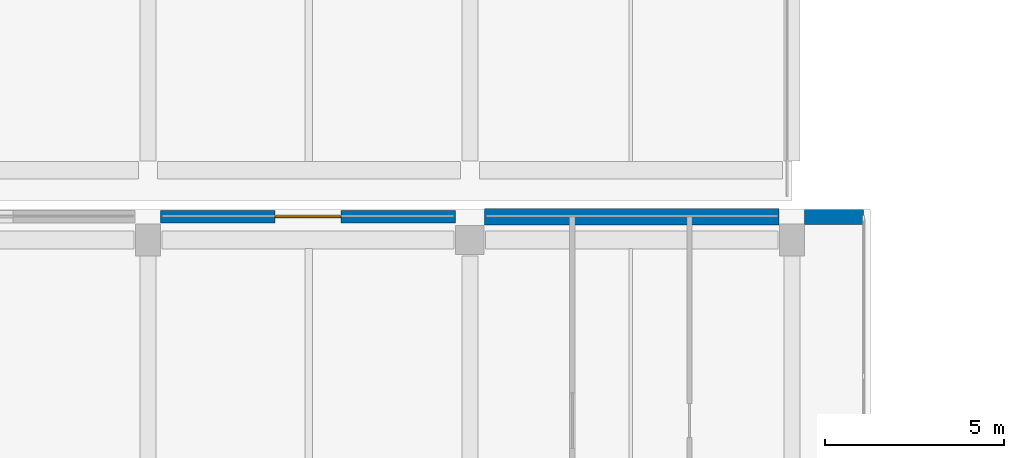
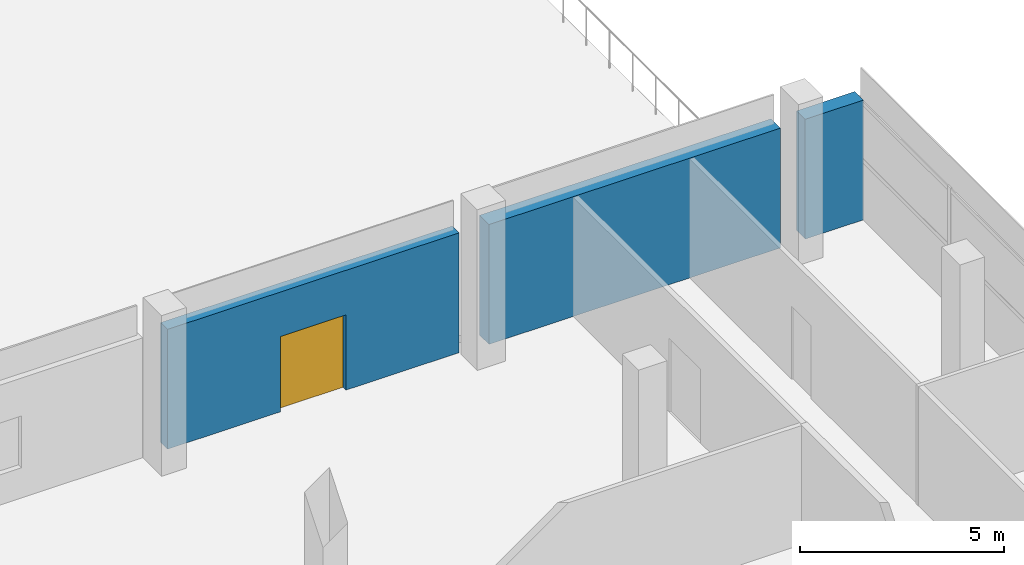
# One storey, part 58 of 82: 3 walls, 1 door, 1 opening.
"""IFC4 building model written with IfcOpenShell, lengths in metres."""

from ifc_helpers import new_model, si_unit, direction, frame, frame_2d, origin, place, context, subcontext, project, spatial, rectangle, extrude, material, layer, layer_set, type_object, element, fill, save


model = new_model("IFC4")

# Units and contexts
model_context = context("Model", 3, precision=1e-05, world=origin(), true_north=direction((0.0, 1.0)))
body_context = subcontext(model_context, "Body", "Model", "MODEL_VIEW")
ifc_project = project(units=[si_unit("LENGTHUNIT", "METRE"), si_unit("AREAUNIT", "SQUARE_METRE"), si_unit("VOLUMEUNIT", "CUBIC_METRE"), si_unit("PLANEANGLEUNIT", "RADIAN"), si_unit("MASSUNIT", "GRAM", prefix="KILO"), si_unit("THERMODYNAMICTEMPERATUREUNIT", "KELVIN"), si_unit("POWERUNIT", "WATT")], contexts=[model_context])

# Site, building, storey
site_placement = place(None, origin())
site = spatial("IfcSite", under=ifc_project, at=site_placement, CompositionType="ELEMENT")
building_placement = place(site_placement, origin())
building = spatial("IfcBuilding", under=site, at=building_placement, Name="Sindhuravela Promenade Stadium", CompositionType="ELEMENT")
storey_placement = place(building_placement, frame((0.0, 0.0, 14.39990234375)))
storey = spatial("IfcBuildingStorey", under=building, at=storey_placement, Name="L03", CompositionType="ELEMENT", Elevation=14.39990234375)

# Wall, opening, door
ifc_material_1 = material(Name="Terracotta clay brick masonry (15 MPa)", Category="masonry")
ifc_layer_1 = layer(ifc_material_1, 0.340087890625)
ifc_layer_set_1 = layer_set([ifc_layer_1], Name="Terracotta clay brick masonry (15 MPa)")
wall_type_1 = type_object("IfcWallType", Name="EX-WL-BRK340", PredefinedType="SOLIDWALL", material=ifc_layer_set_1)
wall_1_placement = place(storey_placement, frame((189.35498046875, 125.550048828125, 0.0), z_axis=(0.0, 0.0, 1.0), x_axis=(1.0, 0.0, 0.0)))
wall_1 = element("IfcWall", 1, at=wall_1_placement, inside=storey, type_object=wall_type_1, Name="Exterior masonry wall EW06 EAST L03", PredefinedType="SOLIDWALL", context=body_context, shape_type="SweptSolid", body=[
    extrude(rectangle(XDim=8.239990234375, YDim=0.340087890625, at=frame_2d((4.1201171875, 0.0))), origin(), (0.0, 0.0, 1.0), 3.580078125),
])
opening_placement = place(wall_1_placement, frame((3.195068359375, 0.0, 0.0)))
opening = element("IfcOpeningElement", 2, at=opening_placement, cuts=wall_1, Name="Opening TD02", PredefinedType="OPENING", context=body_context, shape_type="SweptSolid", body=[
    extrude(rectangle(XDim=1.85009765625, YDim=2.25, at=frame_2d((0.925048828125, 1.125))), frame((0.0, 0.179931640625, 0.0), z_axis=(0.0, -1.0, 0.0), x_axis=(1.0, 0.0, 0.0)), (0.0, 0.0, 1.0), 0.360107421875),
])
ifc_material_2 = material(Name="Anodised architectural aluminium 6063-T6", Category="aluminium")
door_type = type_object("IfcDoorType", Name="DR-TER-1850x2250", OperationType="DOUBLE_DOOR_SINGLE_SWING", PredefinedType="DOOR", material=ifc_material_2)
door_placement = place(opening_placement, origin())
door = element("IfcDoor", 3, at=door_placement, inside=storey, type_object=door_type, Name="Terrace access door NE Gate Pavilion Planted Roof Garden", OperationType="DOUBLE_DOOR_SINGLE_SWING", OverallHeight=2.25, OverallWidth=1.85009765625, PredefinedType="DOOR", context=body_context, shape_type="SweptSolid", body=[
    extrude(rectangle(XDim=1.85009765625, YDim=2.25, at=frame_2d((0.925048828125, 1.125))), frame((0.0, 0.02490234375, 0.0), z_axis=(0.0, -1.0, 0.0), x_axis=(1.0, 0.0, 0.0)), (0.0, 0.0, 1.0), 0.050048828125),
])
fill(opening, door)

# Walls
ifc_layer_2 = layer(ifc_material_1, 0.419921875)
ifc_layer_set_2 = layer_set([ifc_layer_2], Name="Terracotta clay brick masonry (15 MPa)")
wall_type_2 = type_object("IfcWallType", Name="EX-WL-BRK420", PredefinedType="SOLIDWALL", material=ifc_layer_set_2)
wall_2_placement = place(storey_placement, frame((207.35498046875, 125.550048828125, 0.0), z_axis=(0.0, 0.0, 1.0), x_axis=(1.0, 0.0, 0.0)))
element("IfcWall", 4, at=wall_2_placement, inside=storey, type_object=wall_type_2, Name="Exterior masonry wall EW02 EAST L03", PredefinedType="SOLIDWALL", context=body_context, shape_type="SweptSolid", body=[
    extrude(rectangle(XDim=1.64501953125, YDim=0.419921875, at=frame_2d((0.822509765625, 0.0))), origin(), (0.0, 0.0, 1.0), 3.580078125),
])
ifc_layer_3 = layer(ifc_material_1, 0.4599609375)
ifc_layer_set_3 = layer_set([ifc_layer_3], Name="Terracotta clay brick masonry (15 MPa)")
wall_type_3 = type_object("IfcWallType", Name="EX-WL-BRK460", PredefinedType="SOLIDWALL", material=ifc_layer_set_3)
wall_3_placement = place(storey_placement, frame((198.405029296875, 125.550048828125, 0.0), z_axis=(0.0, 0.0, 1.0), x_axis=(1.0, 0.0, 0.0)))
element("IfcWall", 5, at=wall_3_placement, inside=storey, type_object=wall_type_3, Name="Exterior masonry wall EW01 EAST L03", PredefinedType="SOLIDWALL", context=body_context, shape_type="SweptSolid", body=[
    extrude(rectangle(XDim=8.239990234375, YDim=0.4599609375, at=frame_2d((4.1201171875, 0.0))), origin(), (0.0, 0.0, 1.0), 3.580078125),
])

save(model, "model.ifc")
